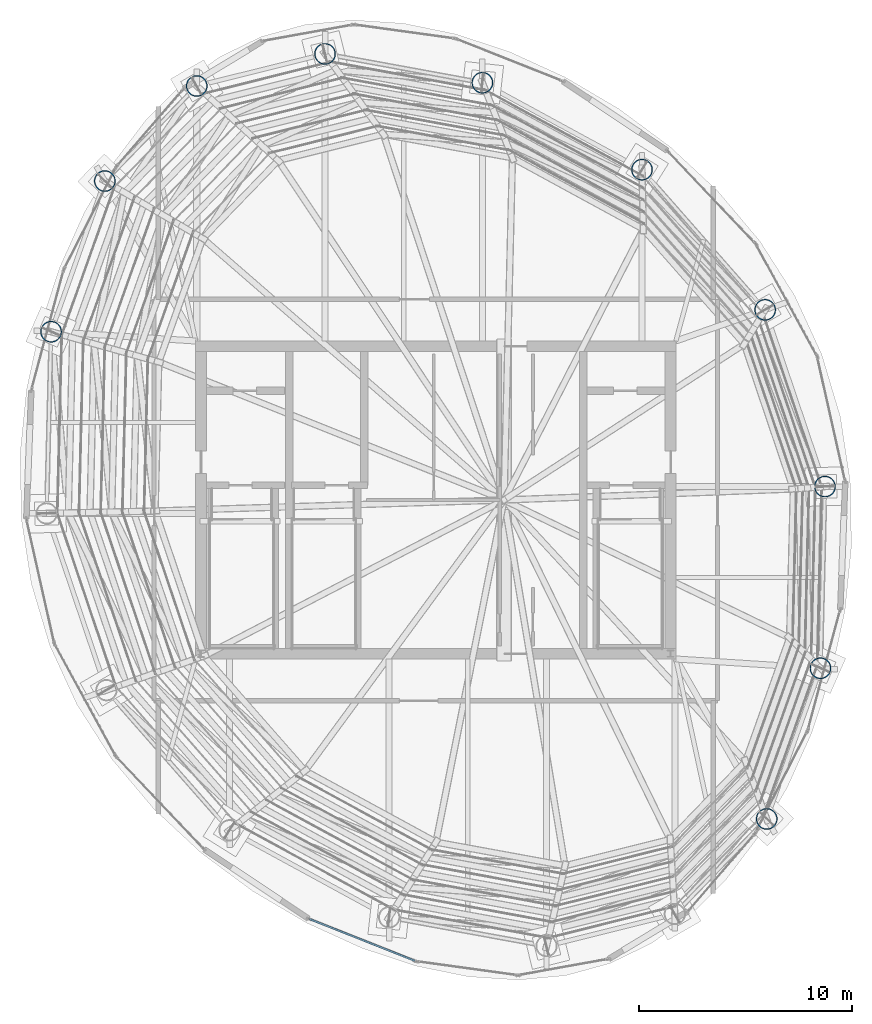
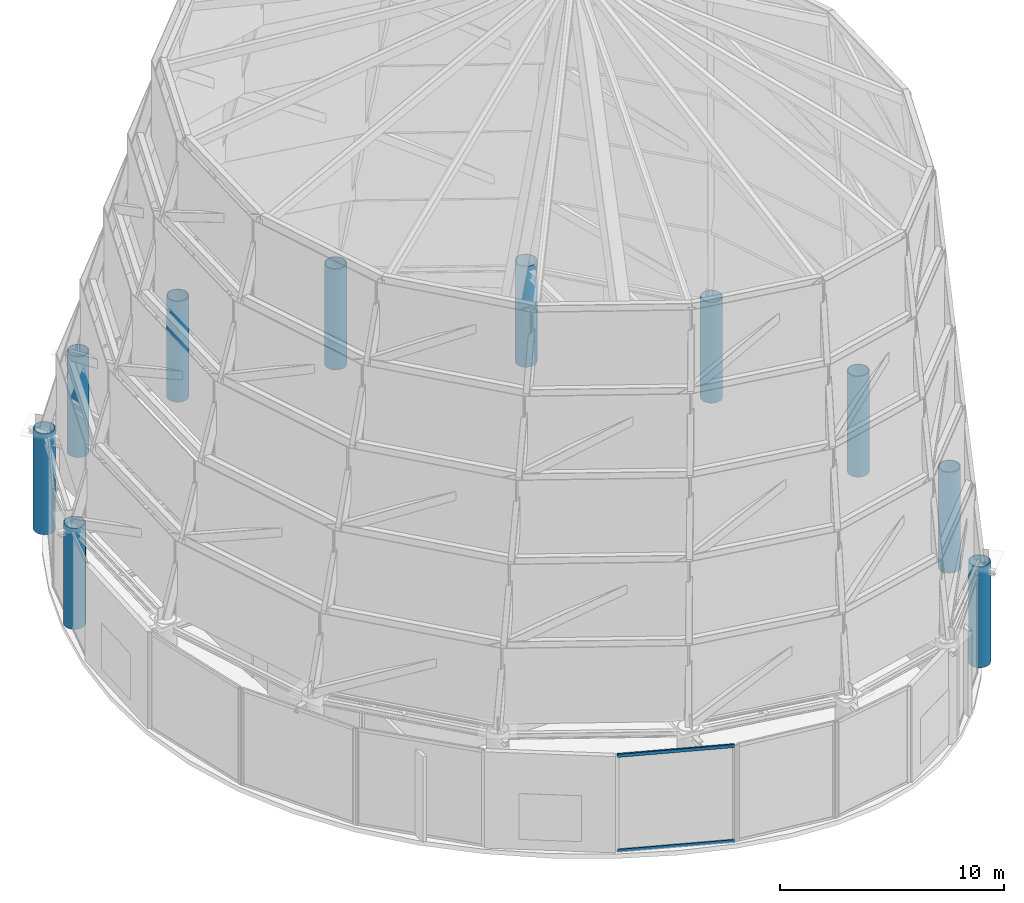
# One storey, part 2 of 40: 10 columns, 2 members, 1 element without a shape of its own.
"""IFC4 building model written with IfcOpenShell, lengths in metres."""

from ifc_helpers import new_model, si_unit, direction, frame, origin, origin_2d, place, context, subcontext, project, spatial, hollow_rectangle, hollow_circle, extrude, material, layer, layer_set, material_profile, profile_set, type_object, element, aggregate, save


model = new_model("IFC4")

# Units and contexts
model_context = context("Model", 3, precision=1e-05, world=origin(), true_north=direction((0.0, 1.0)))
body_context = subcontext(model_context, "Body", "Model", "MODEL_VIEW")
ifc_project = project(units=[si_unit("LENGTHUNIT", "METRE"), si_unit("AREAUNIT", "SQUARE_METRE"), si_unit("VOLUMEUNIT", "CUBIC_METRE"), si_unit("PLANEANGLEUNIT", "RADIAN"), si_unit("MASSUNIT", "GRAM", prefix="KILO")], contexts=[model_context])

# Site, building, storey
site_placement = place(None, origin())
site = spatial("IfcSite", under=ifc_project, at=site_placement, CompositionType="ELEMENT")
building_placement = place(site_placement, origin())
building = spatial("IfcBuilding", under=site, at=building_placement, Name="Bramvorn Convention Spire", CompositionType="ELEMENT")
storey_placement = place(building_placement, frame((0.0, 0.0, 312.5)))
storey = spatial("IfcBuildingStorey", under=building, at=storey_placement, Name="L79", CompositionType="ELEMENT", Elevation=312.5)

# Columns
ifc_material_1 = material(Name="Steel CSA G40.21 Grade 350 (350W)", Category="steel")
ifc_material_profile_1 = material_profile(ifc_material_1, hollow_circle(Radius=0.5, WallThickness=0.044921875, at=origin_2d()))
ifc_profile_set_1 = profile_set([ifc_material_profile_1], Name="Steel CSA G40.21 Grade 350 (350W) - CFT1000X45")
column_type = type_object("IfcColumnType", Name="COL-CFT1000X45", PredefinedType="COLUMN", material=ifc_profile_set_1)
for number, where, z_axis, x_axis, name in (
    (1, (53.50634765625, 11.05615234375, 0.0), (0.0, 0.0, 1.0), (1.0, 0.0, 0.0), "L79 composite CFT mega-column MC02"),
    (2, (56.023681640625, 18.116455078125, 0.0), (0.0, 0.0, 1.0), (1.0, 0.0, 0.0), "L79 composite CFT mega-column MC03"),
    (3, (56.234619140625, 26.62939453125, 0.0), (0.0, 0.0, 1.0), (1.0, 0.0, 0.0), "L79 composite CFT mega-column MC04"),
    (4, (53.4326171875, 34.909912109375, 0.0), (0.0, 0.0, 1.0), (1.0, 0.0, 0.0), "L79 composite CFT mega-column MC05"),
    (5, (47.662353515625, 41.476806640625, 0.0), (0.0, 0.0, 1.0), (1.0, 0.0, 0.0), "L79 composite CFT mega-column MC06"),
    (6, (40.1845703125, 45.55078125, 0.0), (0.0, 0.0, 1.0), (1.0, 0.0, 0.0), "L79 composite CFT mega-column MC07"),
    (7, (32.8115234375, 46.90087890625, 0.0), (0.0, 0.0, 1.0), (1.0, 0.0, 0.0), "L79 composite CFT mega-column MC08"),
    (8, (26.800048828125, 45.39892578125, 0.0), (0.0, 0.0, 1.0), (1.0, 0.0, 0.0), "L79 composite CFT mega-column MC09"),
    (9, (22.49365234375, 40.94384765625, 0.0), (0.0, 0.0, 1.0), (1.0, 0.0, 0.0), "L79 composite CFT mega-column MC10"),
    (10, (19.976318359375, 33.883544921875, 0.0), (0.0, 0.0, 1.0), (1.0, 0.0, 0.0), "L79 composite CFT mega-column MC11"),
):
    element("IfcColumn", number, at=place(storey_placement, frame(where, z_axis=z_axis, x_axis=x_axis)), inside=storey, type_object=column_type, Name=name, PredefinedType="COLUMN", context=body_context, shape_type="SweptSolid", body=[
        extrude(hollow_circle(Radius=0.5, WallThickness=0.044921875, at=origin_2d()), origin(), (0.0, 0.0, 1.0), 5.5),
    ])

# Curtain wall, members
ifc_material_2 = material(Name="Anodised Bronze Unitised Curtain Wall", Category="aluminium")
ifc_layer = layer(ifc_material_2, 0.199951171875)
ifc_layer_set = layer_set([ifc_layer], Name="Anodised Bronze Unitised Curtain Wall - CW-CROWN-SPIRE")
curtain_wall_type = type_object("IfcCurtainWallType", Name="CW-CROWN-SPIRE", PredefinedType="USERDEFINED", material=ifc_layer_set)
curtain_wall_placement = place(storey_placement, origin())
curtain_wall = element("IfcCurtainWall", 11, at=curtain_wall_placement, inside=storey, type_object=curtain_wall_type, Name="L79 fritted glass curtain wall 22", ObjectType="UNITISED CURTAIN WALL", PredefinedType="USERDEFINED")
ifc_material_3 = material(Name="Anodised Bronze Aluminium 6063-T6", Category="aluminium")
ifc_material_profile_2 = material_profile(ifc_material_3, hollow_rectangle(XDim=0.090087890625, YDim=0.179931640625, WallThickness=0.00439453125, InnerFilletRadius=0.0009765625, OuterFilletRadius=0.00439453125, at=origin_2d()))
ifc_profile_set_2 = profile_set([ifc_material_profile_2], Name="Anodised Bronze Aluminium 6063-T6 - CWT90X180")
member_type = type_object("IfcMemberType", Name="CW-TRN-180", PredefinedType="USERDEFINED", material=ifc_profile_set_2)
member_1_placement = place(storey_placement, frame((37.021484375, 4.40673828125, 0.030029296875), z_axis=(-0.929538764458, 0.368724403003, 0.0), x_axis=(-0.368724403003, -0.929538764458, 0.0)))
member_1 = element("IfcMember", 12, at=member_1_placement, type_object=member_type, Name="CW6 transom 1.1", ObjectType="TRANSOM", PredefinedType="USERDEFINED", context=body_context, shape_type="SweptSolid", body=[
    extrude(hollow_rectangle(XDim=0.090087890625, YDim=0.179931640625, WallThickness=0.00439453125, InnerFilletRadius=0.0009765625, OuterFilletRadius=0.00439453125, at=origin_2d()), origin(), (0.0, 0.0, 1.0), 5.3076171875),
])
member_2_placement = place(storey_placement, frame((37.021484375, 4.40673828125, 5.219970703125), z_axis=(-0.929538764458, 0.368724403003, 0.0), x_axis=(-0.368724403003, -0.929538764458, 0.0)))
member_2 = element("IfcMember", 13, at=member_2_placement, type_object=member_type, Name="CW6 transom 1.2", ObjectType="TRANSOM", PredefinedType="USERDEFINED", context=body_context, shape_type="SweptSolid", body=[
    extrude(hollow_rectangle(XDim=0.090087890625, YDim=0.179931640625, WallThickness=0.00439453125, InnerFilletRadius=0.0009765625, OuterFilletRadius=0.00439453125, at=origin_2d()), origin(), (0.0, 0.0, 1.0), 5.3076171875),
])
aggregate(curtain_wall, [member_1, member_2])

save(model, "model.ifc")
